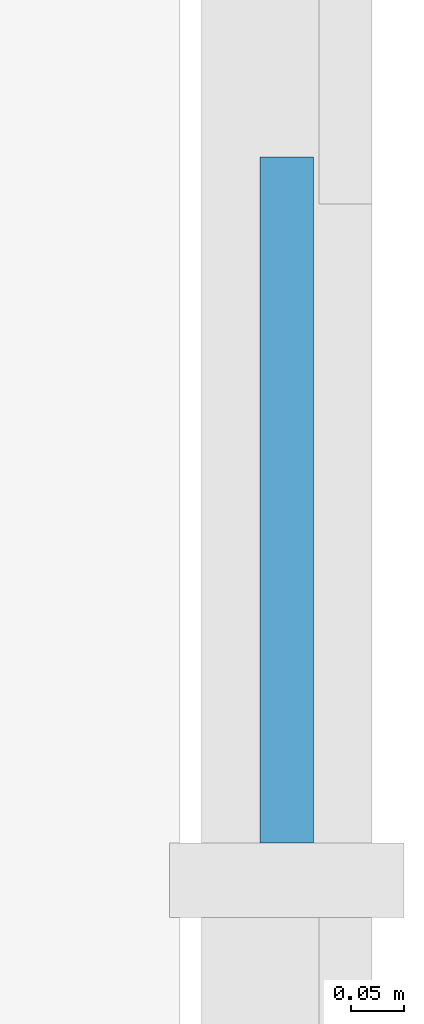
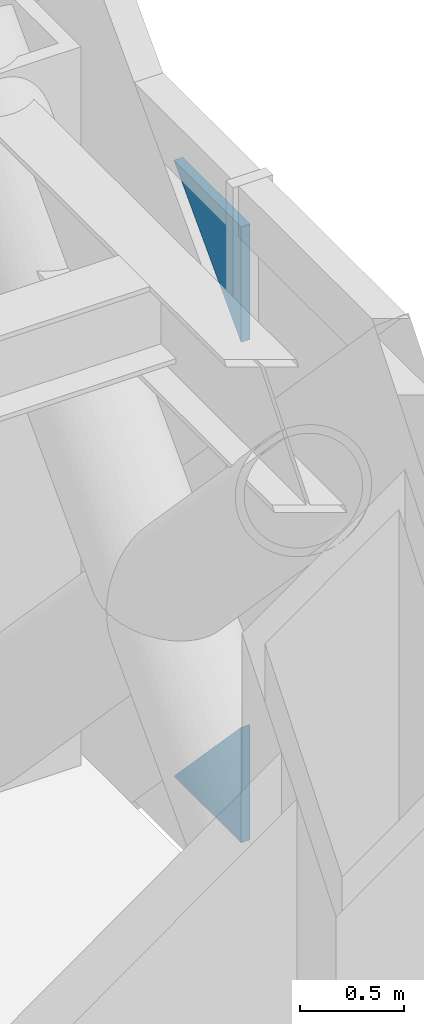
# One storey, part 14 of 19: 2 plates, 1 element without a shape of its own.
"""IFC4 building model written with IfcOpenShell, lengths in metres."""

from ifc_helpers import new_model, si_unit, direction, frame, origin, place, context, subcontext, project, spatial, polyline, outline, extrude, material, layer, layer_set, type_object, element, aggregate, save


model = new_model("IFC4")

# Units and contexts
model_context = context("Model", 3, precision=1e-05, world=origin(), true_north=direction((0.0, 1.0)))
body_context = subcontext(model_context, "Body", "Model", "MODEL_VIEW")
ifc_project = project(units=[si_unit("LENGTHUNIT", "METRE"), si_unit("AREAUNIT", "SQUARE_METRE"), si_unit("VOLUMEUNIT", "CUBIC_METRE"), si_unit("PLANEANGLEUNIT", "RADIAN"), si_unit("MASSUNIT", "GRAM", prefix="KILO")], contexts=[model_context])

# Site, building, storey
site_placement = place(None, origin())
site = spatial("IfcSite", under=ifc_project, at=site_placement, CompositionType="ELEMENT")
building_placement = place(site_placement, origin())
building = spatial("IfcBuilding", under=site, at=building_placement, Name="Rheinbord Bourse Tower", CompositionType="ELEMENT")
storey_placement = place(building_placement, frame((0.0, 0.0, 206.800048828125)))
storey = spatial("IfcBuildingStorey", under=building, at=storey_placement, Name="L46", CompositionType="ELEMENT", Elevation=206.800048828125)

# Curtain wall, plates
ifc_material_1 = material(Name="Dark glass and black aluminium", Category="aluminium")
curtain_wall_type = type_object("IfcCurtainWallType", Name="CW2 DARK GLASS CURTAIN WALL", PredefinedType="USERDEFINED", material=ifc_material_1)
curtain_wall_placement = place(storey_placement, origin())
curtain_wall = element("IfcCurtainWall", 1, at=curtain_wall_placement, inside=storey, type_object=curtain_wall_type, Name="Curtain wall CW2 E L46", ObjectType="UNITISED CURTAIN WALL", PredefinedType="USERDEFINED")
ifc_material_2 = material(Name="Dark tinted triple insulating glass", Category="glass")
ifc_layer = layer(ifc_material_2, 0.050048828125)
ifc_layer_set = layer_set([ifc_layer], Name="CW2 DARK GLASS PANEL")
plate_type = type_object("IfcPlateType", Name="CW2 DARK GLASS PANEL", PredefinedType="CURTAIN_PANEL", material=ifc_layer_set)
plate_1_placement = place(storey_placement, frame((72.625, 14.235107421875, 0.300048828125), z_axis=(-1.0, 0.0, 0.0), x_axis=(0.0, 0.0, 1.0)))
plate_1 = element("IfcPlate", 2, at=plate_1_placement, type_object=plate_type, Name="CW2 glass facet 1", PredefinedType="CURTAIN_PANEL", context=body_context, shape_type="SweptSolid", body=[
    extrude(outline(polyline([(0.0, 0.0), (0.67578125, 0.0), (0.0, 0.643798828125), (0.0, 0.0)])), origin(), (0.0, 0.0, 1.0), 0.050048828125),
])
plate_2_placement = place(storey_placement, frame((72.625, 14.235107421875, 3.89990234375), z_axis=(-1.0, 0.0, 0.0), x_axis=(0.0, 1.0, 0.0)))
plate_2 = element("IfcPlate", 3, at=plate_2_placement, type_object=plate_type, Name="CW2 glass facet 2", PredefinedType="CURTAIN_PANEL", context=body_context, shape_type="SweptSolid", body=[
    extrude(outline(polyline([(0.0, 0.0), (0.643798828125, 0.0), (0.0, 0.676025390625), (0.0, 0.0)])), origin(), (0.0, 0.0, 1.0), 0.050048828125),
])
aggregate(curtain_wall, [plate_1, plate_2])

save(model, "model.ifc")
